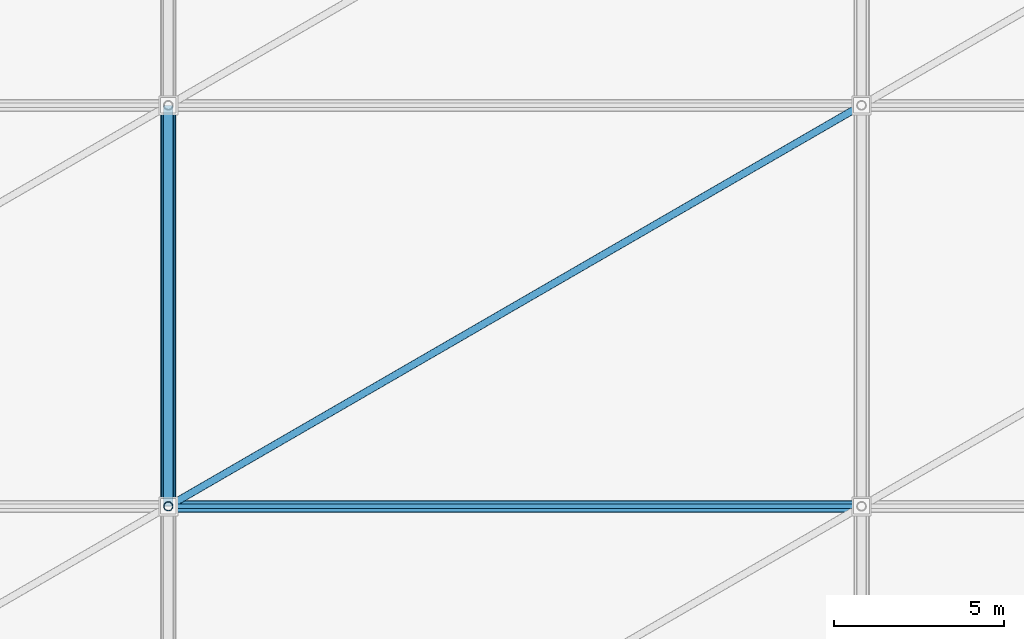
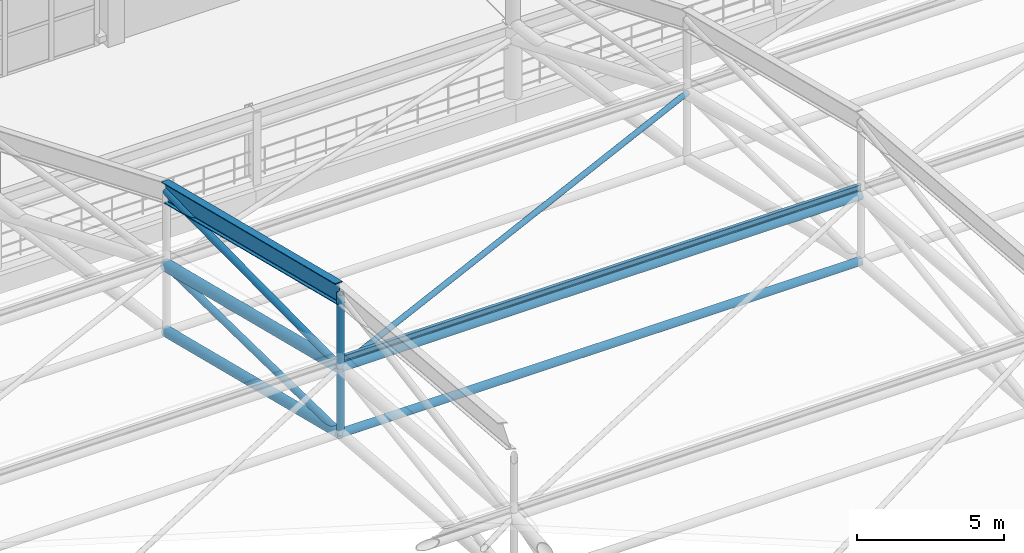
# One storey, part 38 of 135: 10 members, 1 beam.
"""IFC4 building model written with IfcOpenShell, lengths in metres."""

from ifc_helpers import new_model, si_unit, direction, frame, origin, origin_2d, place, context, subcontext, project, spatial, hollow_circle, i_section, extrude, material, material_profile, profile_set, type_object, element, save


model = new_model("IFC4")

# Units and contexts
model_context = context("Model", 3, precision=1e-05, world=origin(), true_north=direction((0.0, 1.0)))
body_context = subcontext(model_context, "Body", "Model", "MODEL_VIEW")
ifc_project = project(units=[si_unit("LENGTHUNIT", "METRE"), si_unit("AREAUNIT", "SQUARE_METRE"), si_unit("VOLUMEUNIT", "CUBIC_METRE"), si_unit("PLANEANGLEUNIT", "RADIAN"), si_unit("MASSUNIT", "GRAM", prefix="KILO")], contexts=[model_context])

# Site, building, storey
site_placement = place(None, origin())
site = spatial("IfcSite", under=ifc_project, at=site_placement, CompositionType="ELEMENT")
building_placement = place(site_placement, origin())
building = spatial("IfcBuilding", under=site, at=building_placement, Name="Brelvane Convention Centre", CompositionType="ELEMENT")
storey_placement = place(building_placement, frame((0.0, 0.0, 15.0)))
storey = spatial("IfcBuildingStorey", under=building, at=storey_placement, Name="L03", CompositionType="ELEMENT", Elevation=15.0)

# Beam
ifc_material_1 = material(Name="Steel E450 (450 MPa)", Category="steel")
ifc_material_profile_1 = material_profile(ifc_material_1, i_section(OverallWidth=0.300048828125, OverallDepth=0.800048828125, WebThickness=0.015380859375, FlangeThickness=0.030029296875, FilletRadius=0.027099609375, at=origin_2d()), Name="NPB 800x300")
ifc_profile_set_1 = profile_set([ifc_material_profile_1], Name="Steel E450 (450 MPa)")
beam_type = type_object("IfcBeamType", Name="Steel Beam B-ST2 (NPB 800x300)", PredefinedType="BEAM", material=ifc_profile_set_1)
beam_placement = place(storey_placement, frame((81.60009765625, 76.0, 13.22216796875), z_axis=(0.0, 0.970464083196, -0.241245649134), x_axis=(-1.0, 0.0, 0.0)))
element("IfcBeam", 1, at=beam_placement, inside=storey, type_object=beam_type, Name="EXO_EXH Exoskeletal Arch Girder 5.5", PredefinedType="BEAM", context=body_context, shape_type="SweptSolid", body=[
    extrude(i_section(OverallWidth=0.300048828125, OverallDepth=0.800048828125, WebThickness=0.015380859375, FlangeThickness=0.030029296875, FilletRadius=0.027099609375, at=origin_2d()), origin(), (0.0, 0.0, 1.0), 12.1591796875),
])

# Members
ifc_material_2 = material(Name="Steel E350 (350 MPa)", Category="steel")
ifc_material_profile_2 = material_profile(ifc_material_2, hollow_circle(Radius=0.136474609375, WallThickness=0.012451171875, at=origin_2d()), Name="CHS 273.0x12.5")
ifc_profile_set_2 = profile_set([ifc_material_profile_2], Name="Steel E350 (350 MPa)")
member_type_1 = type_object("IfcMemberType", Name="Steel Brace SF-DG1 (CHS 273.0x12.5)", PredefinedType="BRACE", material=ifc_profile_set_2)
member_1_placement = place(storey_placement, frame((81.60009765625, 76.0, 7.422119140625), z_axis=(0.0, 0.99986610997, -0.016363438913), x_axis=(-1.0, 0.0, 0.0)))
element("IfcMember", 2, at=member_1_placement, inside=storey, type_object=member_type_1, Name="SF_EXH Space-Frame Web Diagonal D5.5", PredefinedType="BRACE", context=body_context, shape_type="SweptSolid", body=[
    extrude(hollow_circle(Radius=0.136474609375, WallThickness=0.012451171875, at=origin_2d()), origin(), (0.0, 0.0, 1.0), 11.801513671875),
])
member_2_placement = place(storey_placement, frame((81.60009765625, 76.0, 10.162109375), z_axis=(0.0, 0.999942352609, 0.010737386072), x_axis=(-1.0, 0.0, 0.0)))
element("IfcMember", 3, at=member_2_placement, inside=storey, type_object=member_type_1, Name="EXO_EXH Exoskeletal Arch Web 5.5", PredefinedType="BRACE", context=body_context, shape_type="SweptSolid", body=[
    extrude(hollow_circle(Radius=0.136474609375, WallThickness=0.012451171875, at=origin_2d()), origin(), (0.0, 0.0, 1.0), 11.80078125),
])
ifc_material_3 = material(Name="Steel E350 (350 MPa)", Category="steel")
ifc_material_profile_3 = material_profile(ifc_material_3, hollow_circle(Radius=0.109619140625, WallThickness=0.010009765625, at=origin_2d()), Name="CHS 219.1x10.0")
ifc_profile_set_3 = profile_set([ifc_material_profile_3], Name="Steel E350 (350 MPa)")
member_type_2 = type_object("IfcMemberType", Name="Steel Brace SF-DG2 (CHS 219.1x10.0)", PredefinedType="BRACE", material=ifc_profile_set_3)
member_3_placement = place(storey_placement, frame((81.60009765625, 76.0, 10.162109375), z_axis=(0.85899063749, 0.496871568034, -0.123505990076), x_axis=(-0.500705052683, 0.865617958581, 0.0)))
element("IfcMember", 4, at=member_3_placement, inside=storey, type_object=member_type_2, Name="SF_EXH Roof Diaphragm Brace PB5.5", PredefinedType="BRACE", context=body_context, shape_type="SweptSolid", body=[
    extrude(hollow_circle(Radius=0.109619140625, WallThickness=0.010009765625, at=origin_2d()), origin(), (0.0, 0.0, 1.0), 23.748779296875),
])
ifc_material_4 = material(Name="Steel E450 (450 MPa)", Category="steel")
ifc_material_profile_4 = material_profile(ifc_material_4, hollow_circle(Radius=0.203125, WallThickness=0.01611328125, at=origin_2d()), Name="CHS 406.4x16.0")
ifc_profile_set_4 = profile_set([ifc_material_profile_4], Name="Steel E450 (450 MPa)")
member_type_3 = type_object("IfcMemberType", Name="Steel Chord SF-BC1 (CHS 406.4x16.0)", PredefinedType="CHORD", material=ifc_profile_set_4)
member_4_placement = place(storey_placement, frame((81.60009765625, 76.0, 7.422119140625), z_axis=(0.0, 0.970468783866, -0.241226738861), x_axis=(-1.0, 0.0, 0.0)))
element("IfcMember", 5, at=member_4_placement, inside=storey, type_object=member_type_3, Name="SF_EXH Space-Frame Bottom Chord B5.5", PredefinedType="CHORD", context=body_context, shape_type="SweptSolid", body=[
    extrude(hollow_circle(Radius=0.203125, WallThickness=0.01611328125, at=origin_2d()), origin(), (0.0, 0.0, 1.0), 12.1591796875),
])
ifc_material_5 = material(Name="Steel E350 (350 MPa)", Category="steel")
ifc_material_profile_5 = material_profile(ifc_material_5, hollow_circle(Radius=0.161865234375, WallThickness=0.012451171875, at=origin_2d()), Name="CHS 323.9x12.5")
ifc_profile_set_5 = profile_set([ifc_material_profile_5], Name="Steel E350 (350 MPa)")
member_type_4 = type_object("IfcMemberType", Name="Steel Chord SF-BC2 (CHS 323.9x12.5)", PredefinedType="CHORD", material=ifc_profile_set_5)
member_5_placement = place(storey_placement, frame((81.60009765625, 76.0, 7.422119140625), z_axis=(1.0, 0.0, 0.0), x_axis=(0.0, 1.0, 0.0)))
element("IfcMember", 6, at=member_5_placement, inside=storey, type_object=member_type_4, Name="SF_EXH Longitudinal Bottom Chord LB5.5", PredefinedType="CHORD", context=body_context, shape_type="SweptSolid", body=[
    extrude(hollow_circle(Radius=0.161865234375, WallThickness=0.012451171875, at=origin_2d()), origin(), (0.0, 0.0, 1.0), 20.39990234375),
])
ifc_material_6 = material(Name="Steel E450 (450 MPa)", Category="steel")
ifc_material_profile_6 = material_profile(ifc_material_6, hollow_circle(Radius=0.228515625, WallThickness=0.02001953125, at=origin_2d()), Name="CHS 457.0x20.0")
ifc_profile_set_6 = profile_set([ifc_material_profile_6], Name="Steel E450 (450 MPa)")
member_type_5 = type_object("IfcMemberType", Name="Steel Chord SF-TC1 (CHS 457.0x20.0)", PredefinedType="CHORD", material=ifc_profile_set_6)
member_6_placement = place(storey_placement, frame((81.60009765625, 76.0, 10.162109375), z_axis=(0.0, 0.970468783866, -0.241226738861), x_axis=(-1.0, 0.0, 0.0)))
element("IfcMember", 7, at=member_6_placement, inside=storey, type_object=member_type_5, Name="SF_EXH Space-Frame Top Chord T5.5", PredefinedType="CHORD", context=body_context, shape_type="SweptSolid", body=[
    extrude(hollow_circle(Radius=0.228515625, WallThickness=0.02001953125, at=origin_2d()), origin(), (0.0, 0.0, 1.0), 12.1591796875),
])
ifc_material_7 = material(Name="Steel E450 (450 MPa)", Category="steel")
ifc_material_profile_7 = material_profile(ifc_material_7, hollow_circle(Radius=0.177734375, WallThickness=0.01611328125, at=origin_2d()), Name="CHS 355.6x16.0")
ifc_profile_set_7 = profile_set([ifc_material_profile_7], Name="Steel E450 (450 MPa)")
member_type_6 = type_object("IfcMemberType", Name="Steel Chord SF-TC2 (CHS 355.6x16.0)", PredefinedType="CHORD", material=ifc_profile_set_7)
member_7_placement = place(storey_placement, frame((81.60009765625, 76.0, 10.162109375), z_axis=(1.0, 0.0, 0.0), x_axis=(0.0, 1.0, 0.0)))
element("IfcMember", 8, at=member_7_placement, inside=storey, type_object=member_type_6, Name="SF_EXH Longitudinal Top Chord LT5.5", PredefinedType="CHORD", context=body_context, shape_type="SweptSolid", body=[
    extrude(hollow_circle(Radius=0.177734375, WallThickness=0.01611328125, at=origin_2d()), origin(), (0.0, 0.0, 1.0), 20.39990234375),
])
ifc_material_8 = material(Name="Steel E350 (350 MPa)", Category="steel")
ifc_material_profile_8 = material_profile(ifc_material_8, i_section(OverallWidth=0.125, OverallDepth=0.25, WebThickness=0.0068359375, FlangeThickness=0.012451171875, FilletRadius=0.012939453125, at=origin_2d()), Name="ISMB 250")
ifc_profile_set_8 = profile_set([ifc_material_profile_8], Name="Steel E350 (350 MPa)")
member_type_7 = type_object("IfcMemberType", Name="Steel Purlin PR-ST1 (ISMB 250)", PredefinedType="PURLIN", material=ifc_profile_set_8)
member_8_placement = place(storey_placement, frame((81.60009765625, 76.0, 10.497314453125), z_axis=(1.0, 0.0, 0.0), x_axis=(0.0, 1.0, 0.0)))
element("IfcMember", 9, at=member_8_placement, inside=storey, type_object=member_type_7, Name="SF_EXH Roof Purlin P5.5", PredefinedType="PURLIN", context=body_context, shape_type="SweptSolid", body=[
    extrude(i_section(OverallWidth=0.125, OverallDepth=0.25, WebThickness=0.0068359375, FlangeThickness=0.012451171875, FilletRadius=0.012939453125, at=origin_2d()), origin(), (0.0, 0.0, 1.0), 20.39990234375),
])
ifc_material_9 = material(Name="Steel E350 (350 MPa)", Category="steel")
ifc_material_profile_9 = material_profile(ifc_material_9, hollow_circle(Radius=0.136474609375, WallThickness=0.012451171875, at=origin_2d()), Name="CHS 273.0x12.5")
ifc_profile_set_9 = profile_set([ifc_material_profile_9], Name="Steel E350 (350 MPa)")
member_type_8 = type_object("IfcMemberType", Name="Steel Strut SF-VT1 (CHS 273.0x12.5)", PredefinedType="STRUT", material=ifc_profile_set_9)
member_9_placement = place(storey_placement, frame((81.60009765625, 76.0, 7.422119140625), z_axis=(0.0, 0.0, 1.0), x_axis=(1.0, 0.0, 0.0)))
element("IfcMember", 10, at=member_9_placement, inside=storey, type_object=member_type_8, Name="SF_EXH Space-Frame Post V5.4", PredefinedType="STRUT", context=body_context, shape_type="SweptSolid", body=[
    extrude(hollow_circle(Radius=0.136474609375, WallThickness=0.012451171875, at=origin_2d()), origin(), (0.0, 0.0, 1.0), 2.739990234375),
])
member_10_placement = place(storey_placement, frame((81.60009765625, 76.0, 10.162109375), z_axis=(0.0, 0.0, 1.0), x_axis=(1.0, 0.0, 0.0)))
element("IfcMember", 11, at=member_10_placement, inside=storey, type_object=member_type_8, Name="EXO_EXH Roof Suspension Hanger 5.4", PredefinedType="STRUT", context=body_context, shape_type="SweptSolid", body=[
    extrude(hollow_circle(Radius=0.136474609375, WallThickness=0.012451171875, at=origin_2d()), origin(), (0.0, 0.0, 1.0), 3.06005859375),
])

save(model, "model.ifc")
